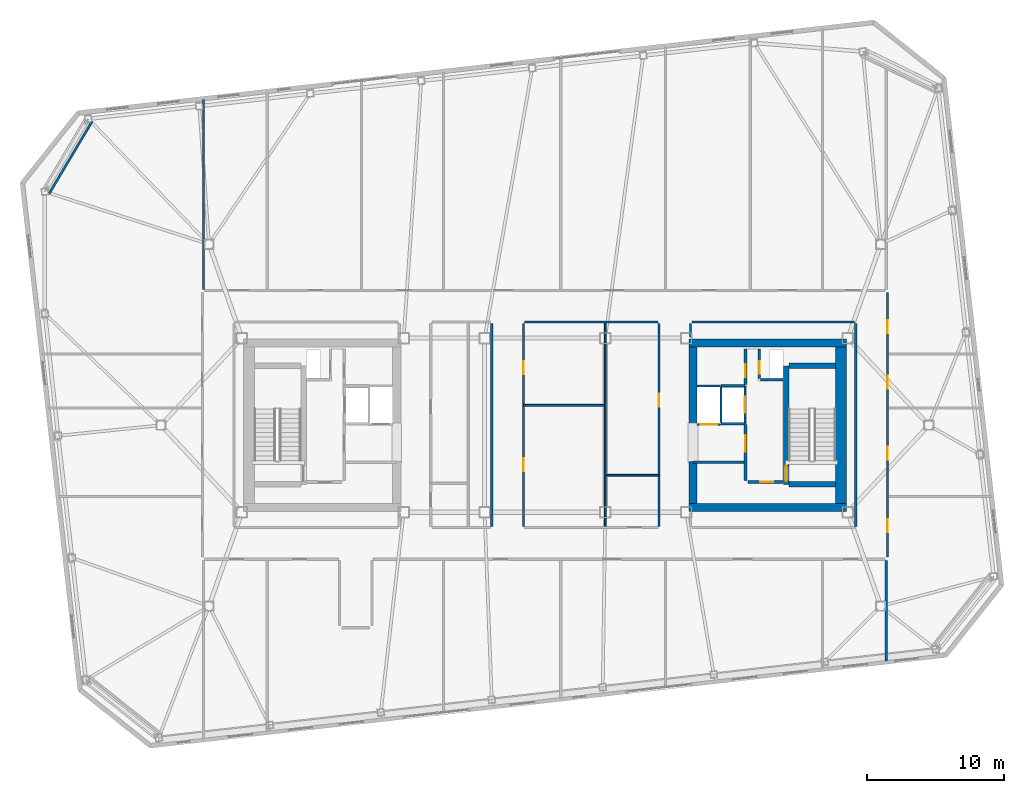
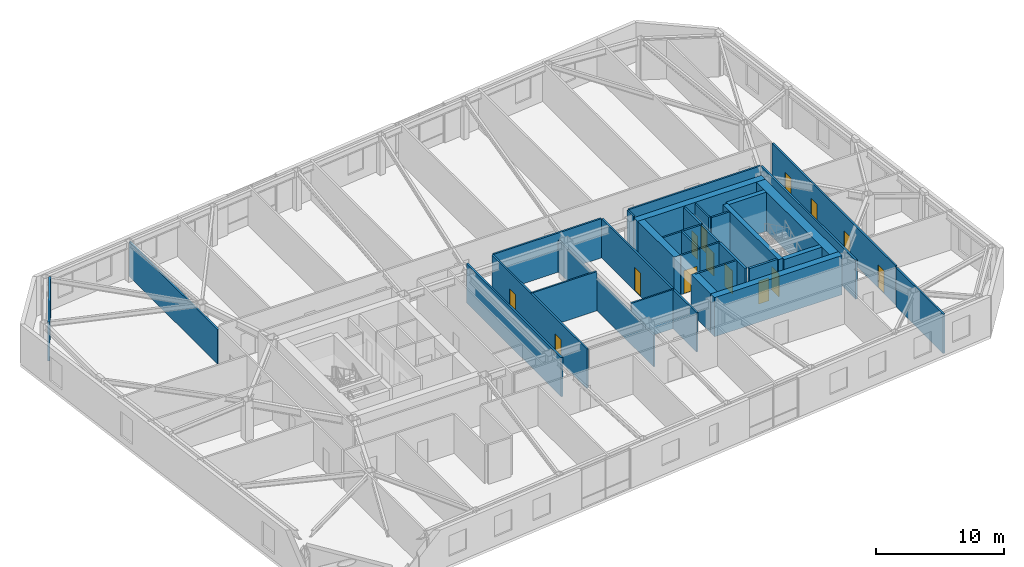
# One storey, part 14 of 19: 34 walls, 14 doors, 14 openings.
"""IFC4 building model written with IfcOpenShell, lengths in metres."""

from ifc_helpers import new_model, si_unit, direction, frame, frame_2d, origin, place, context, subcontext, project, spatial, rectangle, extrude, material, layer, layer_set, type_object, element, fill, save


model = new_model("IFC4")

# Units and contexts
model_context = context("Model", 3, precision=1e-05, world=origin(), true_north=direction((0.0, 1.0)))
body_context = subcontext(model_context, "Body", "Model", "MODEL_VIEW")
ifc_project = project(units=[si_unit("LENGTHUNIT", "METRE"), si_unit("AREAUNIT", "SQUARE_METRE"), si_unit("VOLUMEUNIT", "CUBIC_METRE"), si_unit("PLANEANGLEUNIT", "RADIAN"), si_unit("MASSUNIT", "GRAM", prefix="KILO")], contexts=[model_context])

# Site, building, storey
site_placement = place(None, origin())
site = spatial("IfcSite", under=ifc_project, at=site_placement, CompositionType="ELEMENT")
building_placement = place(site_placement, origin())
building = spatial("IfcBuilding", under=site, at=building_placement, Name="Tavrogorsk Clinical Tower", CompositionType="ELEMENT")
storey_placement = place(building_placement, frame((0.0, 0.0, 263.0)))
storey = spatial("IfcBuildingStorey", under=building, at=storey_placement, Name="L61", CompositionType="ELEMENT", Elevation=263.0)

# Wall, opening, door
ifc_material_1 = material(Name="Concrete B60", Category="concrete")
ifc_layer_1 = layer(ifc_material_1, 0.199951171875)
ifc_layer_set_1 = layer_set([ifc_layer_1], Name="Concrete B60")
wall_type_1 = type_object("IfcWallType", Name="CoreFireWall_200", PredefinedType="SOLIDWALL", material=ifc_layer_set_1)
wall_1_placement = place(storey_placement, frame((14.824951171875, -4.139892578125, 0.0), z_axis=(0.0, 0.0, 1.0), x_axis=(1.0, 0.0, 0.0)))
wall_1 = element("IfcWall", 1, at=wall_1_placement, inside=storey, type_object=wall_type_1, Name="L61 Core East South Core Room Fire Wall", PredefinedType="SOLIDWALL", context=body_context, shape_type="SweptSolid", body=[
    extrude(rectangle(XDim=2.554931640625, YDim=0.199951171875, at=frame_2d((1.27734375, 0.0))), origin(), (0.0, 0.0, 1.0), 3.739990234375),
])
opening_1_placement = place(wall_1_placement, frame((0.8798828125, 0.0, 0.0)))
opening_1 = element("IfcOpeningElement", 2, at=opening_1_placement, cuts=wall_1, Name="Opening ID-02", PredefinedType="OPENING", context=body_context, shape_type="SweptSolid", body=[
    extrude(rectangle(XDim=0.949951171875, YDim=2.199951171875, at=frame_2d((0.47509765625, 1.10009765625))), frame((0.0, 0.10986328125, 0.0), z_axis=(0.0, -1.0, 0.0), x_axis=(1.0, 0.0, 0.0)), (0.0, 0.0, 1.0), 0.219970703125),
])
ifc_material_2 = material(Name="Laminated timber leaf on aluminium frame", Category="wood")
door_type_1 = type_object("IfcDoorType", Name="InteriorDoor_ID02_950", OperationType="NOTDEFINED", PredefinedType="DOOR", material=ifc_material_2)
door_1_placement = place(opening_1_placement, origin())
door_1 = element("IfcDoor", 3, at=door_1_placement, inside=storey, type_object=door_type_1, Name="L61 Core East South Core Room Door", OperationType="SINGLE_SWING_RIGHT", OverallHeight=2.199951171875, OverallWidth=0.949951171875, PredefinedType="DOOR", context=body_context, shape_type="SweptSolid", body=[
    extrude(rectangle(XDim=0.949951171875, YDim=2.199951171875, at=frame_2d((0.47509765625, 1.10009765625))), frame((0.0, 0.02490234375, 0.0), z_axis=(0.0, -1.0, 0.0), x_axis=(1.0, 0.0, 0.0)), (0.0, 0.0, 1.0), 0.050048828125),
])
fill(opening_1, door_1)

wall_2_placement = place(storey_placement, frame((14.639892578125, 2.9599609375, 0.0), z_axis=(0.0, 0.0, 1.0), x_axis=(0.0, 1.0, 0.0)))
wall_2 = element("IfcWall", 4, at=wall_2_placement, inside=storey, type_object=wall_type_1, Name="L61 Core East North Core Room East Wall", PredefinedType="SOLIDWALL", context=body_context, shape_type="SweptSolid", body=[
    extrude(rectangle(XDim=2.60009765625, YDim=0.199951171875, at=frame_2d((1.300048828125, 0.0))), origin(), (0.0, 0.0, 1.0), 3.739990234375),
])
opening_2_placement = place(wall_2_placement, frame((0.52001953125, 0.0, 0.0)))
opening_2 = element("IfcOpeningElement", 5, at=opening_2_placement, cuts=wall_2, Name="Opening ID-02", PredefinedType="OPENING", context=body_context, shape_type="SweptSolid", body=[
    extrude(rectangle(XDim=0.949951171875, YDim=2.199951171875, at=frame_2d((0.47509765625, 1.10009765625))), frame((0.0, 0.10986328125, 0.0), z_axis=(0.0, -1.0, 0.0), x_axis=(1.0, 0.0, 0.0)), (0.0, 0.0, 1.0), 0.219970703125),
])
door_2_placement = place(opening_2_placement, origin())
door_2 = element("IfcDoor", 6, at=door_2_placement, inside=storey, type_object=door_type_1, Name="L61 Core East Core Telemetry Room Door", OperationType="SINGLE_SWING_LEFT", OverallHeight=2.199951171875, OverallWidth=0.949951171875, PredefinedType="DOOR", context=body_context, shape_type="SweptSolid", body=[
    extrude(rectangle(XDim=0.949951171875, YDim=2.199951171875, at=frame_2d((0.47509765625, 1.10009765625))), frame((0.0, 0.02490234375, 0.0), z_axis=(0.0, -1.0, 0.0), x_axis=(1.0, 0.0, 0.0)), (0.0, 0.0, 1.0), 0.050048828125),
])
fill(opening_2, door_2)

wall_3_placement = place(storey_placement, frame((14.639892578125, -4.034912109375, 0.0), z_axis=(0.0, 0.0, 1.0), x_axis=(0.0, 1.0, 0.0)))
wall_3 = element("IfcWall", 7, at=wall_3_placement, inside=storey, type_object=wall_type_1, Name="L61 Core East Firefighting Lobby Fire Wall", PredefinedType="SOLIDWALL", context=body_context, shape_type="SweptSolid", body=[
    extrude(rectangle(XDim=4.074951171875, YDim=0.199951171875, at=frame_2d((2.03759765625, 0.0))), origin(), (0.0, 0.0, 1.0), 3.739990234375),
])
opening_3_placement = place(wall_3_placement, frame((2.090087890625, 0.0, 0.0)))
opening_3 = element("IfcOpeningElement", 8, at=opening_3_placement, cuts=wall_3, Name="Opening FD-01", PredefinedType="OPENING", context=body_context, shape_type="SweptSolid", body=[
    extrude(rectangle(XDim=1.199951171875, YDim=2.199951171875, at=frame_2d((0.60009765625, 1.10009765625))), frame((0.0, 0.10986328125, 0.0), z_axis=(0.0, -1.0, 0.0), x_axis=(1.0, 0.0, 0.0)), (0.0, 0.0, 1.0), 0.219970703125),
])
ifc_material_3 = material(Name="Galvanised steel fire-rated door assembly", Category="steel")
door_type_2 = type_object("IfcDoorType", Name="FireDoor_FD01_1200", OperationType="NOTDEFINED", PredefinedType="DOOR", material=ifc_material_3)
door_3_placement = place(opening_3_placement, origin())
door_3 = element("IfcDoor", 9, at=door_3_placement, inside=storey, type_object=door_type_2, Name="L61 Core East Firefighting Lobby Entry Door", OperationType="SINGLE_SWING_RIGHT", OverallHeight=2.199951171875, OverallWidth=1.199951171875, PredefinedType="DOOR", context=body_context, shape_type="SweptSolid", body=[
    extrude(rectangle(XDim=1.199951171875, YDim=2.199951171875, at=frame_2d((0.60009765625, 1.10009765625))), frame((0.0, 0.02490234375, 0.0), z_axis=(0.0, -1.0, 0.0), x_axis=(1.0, 0.0, 0.0)), (0.0, 0.0, 1.0), 0.050048828125),
])
fill(opening_3, door_3)

# Walls
ifc_material_4 = material(Name="Lightweight concrete blockwork B15", Category="masonry")
ifc_layer_2 = layer(ifc_material_4, 0.139892578125)
ifc_layer_set_2 = layer_set([ifc_layer_2], Name="Lightweight concrete blockwork B15")
wall_type_2 = type_object("IfcWallType", Name="PartitionWall_140", PredefinedType="PARTITIONING", material=ifc_layer_set_2)
wall_4_placement = place(storey_placement, frame((4.39990234375, -7.465087890625, 0.0), z_axis=(0.0, 0.0, 1.0), x_axis=(0.0, 1.0, 0.0)))
element("IfcWall", 10, at=wall_4_placement, inside=storey, type_object=wall_type_2, Name="L61 Central Spine Partition 2", PredefinedType="PARTITIONING", context=body_context, shape_type="SweptSolid", body=[
    extrude(rectangle(XDim=14.97998046875, YDim=0.139892578125, at=frame_2d((7.489990234375, 0.0))), origin(), (0.0, 0.0, 1.0), 3.034912109375),
])
wall_5_placement = place(storey_placement, frame((-1.56494140625, 1.449951171875, 0.0), z_axis=(0.0, 0.0, 1.0), x_axis=(1.0, 0.0, 0.0)))
element("IfcWall", 11, at=wall_5_placement, inside=storey, type_object=wall_type_2, Name="L61 Central Spine Partition 3", PredefinedType="PARTITIONING", context=body_context, shape_type="SweptSolid", body=[
    extrude(rectangle(XDim=5.889892578125, YDim=0.139892578125, at=frame_2d((2.94482421875, 0.0))), origin(), (0.0, 0.0, 1.0), 3.739990234375),
])
wall_6_placement = place(storey_placement, frame((4.47509765625, -3.64990234375, 0.0), z_axis=(0.0, 0.0, 1.0), x_axis=(1.0, 0.0, 0.0)))
element("IfcWall", 12, at=wall_6_placement, inside=storey, type_object=wall_type_2, Name="L61 Central Spine Partition 5", PredefinedType="PARTITIONING", context=body_context, shape_type="SweptSolid", body=[
    extrude(rectangle(XDim=3.83984375, YDim=0.139892578125, at=frame_2d((1.919921875, 0.0))), origin(), (0.0, 0.0, 1.0), 3.739990234375),
])
ifc_material_5 = material(Name="Lightweight concrete blockwork B15", Category="masonry")
ifc_layer_3 = layer(ifc_material_5, 0.159912109375)
ifc_layer_set_3 = layer_set([ifc_layer_3], Name="Lightweight concrete blockwork B15")
wall_type_3 = type_object("IfcWallType", Name="PartitionWall_160", PredefinedType="PARTITIONING", material=ifc_layer_set_3)
wall_7_placement = place(storey_placement, frame((10.800048828125, -2.699951171875, 0.0), z_axis=(0.0, 0.0, 1.0), x_axis=(1.0, 0.0, 0.0)))
element("IfcWall", 13, at=wall_7_placement, inside=storey, type_object=wall_type_3, Name="L61 Core East Freed Mid-Bank North Partition", PredefinedType="PARTITIONING", context=body_context, shape_type="SweptSolid", body=[
    extrude(rectangle(XDim=3.73486328125, YDim=0.159912109375, at=frame_2d((1.867431640625, 0.0))), origin(), (0.0, 0.0, 1.0), 3.739990234375),
])
wall_8_placement = place(storey_placement, frame((-33.016357421875, 22.17138671875, 0.0), z_axis=(0.0, 0.0, 1.0), x_axis=(-0.511385266265, -0.859351563359, 0.0)))
element("IfcWall", 14, at=wall_8_placement, inside=storey, type_object=wall_type_3, Name="L61 Corner Exoskeleton Brace Furring Wall 3", PredefinedType="PARTITIONING", context=body_context, shape_type="SweptSolid", body=[
    extrude(rectangle(XDim=6.181884765625, YDim=0.159912109375, at=frame_2d((3.0908203125, 0.0))), origin(), (0.0, 0.0, 1.0), 3.739990234375),
])

# Wall, openings, doors
wall_9_placement = place(storey_placement, frame((24.97998046875, 9.6650390625, 0.0), z_axis=(0.0, 0.0, 1.0), x_axis=(0.0, -1.0, 0.0)))
wall_9 = element("IfcWall", 15, at=wall_9_placement, inside=storey, type_object=wall_type_3, Name="L61 Corridor Partition 03", PredefinedType="PARTITIONING", context=body_context, shape_type="SweptSolid", body=[
    extrude(rectangle(XDim=19.280029296875, YDim=0.159912109375, at=frame_2d((9.64013671875, 0.0))), origin(), (0.0, 0.0, 1.0), 3.739990234375),
])
opening_4_placement = place(wall_9_placement, frame((16.531005859375, 0.0, 0.0)))
opening_4 = element("IfcOpeningElement", 16, at=opening_4_placement, cuts=wall_9, Name="Opening ID-02", PredefinedType="OPENING", context=body_context, shape_type="SweptSolid", body=[
    extrude(rectangle(XDim=0.949951171875, YDim=2.199951171875, at=frame_2d((0.47509765625, 1.10009765625))), frame((0.0, 0.08984375, 0.0), z_axis=(0.0, -1.0, 0.0), x_axis=(1.0, 0.0, 0.0)), (0.0, 0.0, 1.0), 0.179931640625),
])
opening_5_placement = place(wall_9_placement, frame((11.25, 0.0, 0.0)))
opening_5 = element("IfcOpeningElement", 17, at=opening_5_placement, cuts=wall_9, Name="Opening ID-02", PredefinedType="OPENING", context=body_context, shape_type="SweptSolid", body=[
    extrude(rectangle(XDim=0.949951171875, YDim=2.199951171875, at=frame_2d((0.47509765625, 1.10009765625))), frame((0.0, 0.08984375, 0.0), z_axis=(0.0, -1.0, 0.0), x_axis=(1.0, 0.0, 0.0)), (0.0, 0.0, 1.0), 0.179931640625),
])
opening_6_placement = place(wall_9_placement, frame((6.050048828125, 0.0, 0.0)))
opening_6 = element("IfcOpeningElement", 18, at=opening_6_placement, cuts=wall_9, Name="Opening ID-02", PredefinedType="OPENING", context=body_context, shape_type="SweptSolid", body=[
    extrude(rectangle(XDim=0.949951171875, YDim=2.199951171875, at=frame_2d((0.47509765625, 1.10009765625))), frame((0.0, 0.08984375, 0.0), z_axis=(0.0, -1.0, 0.0), x_axis=(1.0, 0.0, 0.0)), (0.0, 0.0, 1.0), 0.179931640625),
])
opening_7_placement = place(wall_9_placement, frame((1.994140625, 0.0, 0.0)))
opening_7 = element("IfcOpeningElement", 19, at=opening_7_placement, cuts=wall_9, Name="Opening ID-02", PredefinedType="OPENING", context=body_context, shape_type="SweptSolid", body=[
    extrude(rectangle(XDim=0.949951171875, YDim=2.199951171875, at=frame_2d((0.47509765625, 1.10009765625))), frame((0.0, 0.08984375, 0.0), z_axis=(0.0, -1.0, 0.0), x_axis=(1.0, 0.0, 0.0)), (0.0, 0.0, 1.0), 0.179931640625),
])
door_4_placement = place(opening_4_placement, origin())
door_4 = element("IfcDoor", 20, at=door_4_placement, inside=storey, type_object=door_type_1, Name="L61 E Senior Clinician Suite 1 Door", OperationType="SINGLE_SWING_LEFT", OverallHeight=2.199951171875, OverallWidth=0.949951171875, PredefinedType="DOOR", context=body_context, shape_type="SweptSolid", body=[
    extrude(rectangle(XDim=0.949951171875, YDim=2.199951171875, at=frame_2d((0.47509765625, 1.10009765625))), frame((0.0, 0.02490234375, 0.0), z_axis=(0.0, -1.0, 0.0), x_axis=(1.0, 0.0, 0.0)), (0.0, 0.0, 1.0), 0.050048828125),
])
fill(opening_4, door_4)
door_5_placement = place(opening_5_placement, origin())
door_5 = element("IfcDoor", 21, at=door_5_placement, inside=storey, type_object=door_type_1, Name="L61 E Multidisciplinary Seminar Suite 2 Door", OperationType="SINGLE_SWING_RIGHT", OverallHeight=2.199951171875, OverallWidth=0.949951171875, PredefinedType="DOOR", context=body_context, shape_type="SweptSolid", body=[
    extrude(rectangle(XDim=0.949951171875, YDim=2.199951171875, at=frame_2d((0.47509765625, 1.10009765625))), frame((0.0, 0.02490234375, 0.0), z_axis=(0.0, -1.0, 0.0), x_axis=(1.0, 0.0, 0.0)), (0.0, 0.0, 1.0), 0.050048828125),
])
fill(opening_5, door_5)
door_6_placement = place(opening_6_placement, origin())
door_6 = element("IfcDoor", 22, at=door_6_placement, inside=storey, type_object=door_type_1, Name="L61 E Specialist Consultation Room 3 Door", OperationType="SINGLE_SWING_LEFT", OverallHeight=2.199951171875, OverallWidth=0.949951171875, PredefinedType="DOOR", context=body_context, shape_type="SweptSolid", body=[
    extrude(rectangle(XDim=0.949951171875, YDim=2.199951171875, at=frame_2d((0.47509765625, 1.10009765625))), frame((0.0, 0.02490234375, 0.0), z_axis=(0.0, -1.0, 0.0), x_axis=(1.0, 0.0, 0.0)), (0.0, 0.0, 1.0), 0.050048828125),
])
fill(opening_6, door_6)
door_7_placement = place(opening_7_placement, origin())
door_7 = element("IfcDoor", 23, at=door_7_placement, inside=storey, type_object=door_type_1, Name="L61 E Clinical Fellows' Study 4 Door", OperationType="SINGLE_SWING_RIGHT", OverallHeight=2.199951171875, OverallWidth=0.949951171875, PredefinedType="DOOR", context=body_context, shape_type="SweptSolid", body=[
    extrude(rectangle(XDim=0.949951171875, YDim=2.199951171875, at=frame_2d((0.47509765625, 1.10009765625))), frame((0.0, 0.02490234375, 0.0), z_axis=(0.0, -1.0, 0.0), x_axis=(1.0, 0.0, 0.0)), (0.0, 0.0, 1.0), 0.050048828125),
])
fill(opening_7, door_7)

# Walls
wall_10_placement = place(storey_placement, frame((22.5849609375, 7.52001953125, 0.0), z_axis=(0.0, 0.0, 1.0), x_axis=(-1.0, 0.0, 0.0)))
element("IfcWall", 24, at=wall_10_placement, inside=storey, type_object=wall_type_3, Name="L61 Corridor Partition 09", PredefinedType="PARTITIONING", context=body_context, shape_type="SweptSolid", body=[
    extrude(rectangle(XDim=11.869873046875, YDim=0.159912109375, at=frame_2d((5.93505859375, 0.0))), origin(), (0.0, 0.0, 1.0), 3.739990234375),
])
wall_11_placement = place(storey_placement, frame((10.6298828125, 7.43505859375, 0.0), z_axis=(0.0, 0.0, 1.0), x_axis=(0.0, -1.0, 0.0)))
element("IfcWall", 25, at=wall_11_placement, inside=storey, type_object=wall_type_3, Name="L61 Corridor Partition 10", PredefinedType="PARTITIONING", context=body_context, shape_type="SweptSolid", body=[
    extrude(rectangle(XDim=1.01513671875, YDim=0.159912109375, at=frame_2d((0.507568359375, 0.0))), origin(), (0.0, 0.0, 1.0), 3.739990234375),
])
wall_12_placement = place(storey_placement, frame((22.669921875, -7.385009765625, 0.0), z_axis=(0.0, 0.0, 1.0), x_axis=(0.0, 1.0, 0.0)))
element("IfcWall", 26, at=wall_12_placement, inside=storey, type_object=wall_type_3, Name="L61 Corridor Partition 13", PredefinedType="PARTITIONING", context=body_context, shape_type="SweptSolid", body=[
    extrude(rectangle(XDim=14.820068359375, YDim=0.159912109375, at=frame_2d((7.41015625, 0.0))), origin(), (0.0, 0.0, 1.0), 3.739990234375),
])
wall_13_placement = place(storey_placement, frame((8.235107421875, 7.52001953125, 0.0), z_axis=(0.0, 0.0, 1.0), x_axis=(-1.0, 0.0, 0.0)))
element("IfcWall", 27, at=wall_13_placement, inside=storey, type_object=wall_type_3, Name="L61 Corridor Partition 14", PredefinedType="PARTITIONING", context=body_context, shape_type="SweptSolid", body=[
    extrude(rectangle(XDim=9.72021484375, YDim=0.159912109375, at=frame_2d((4.860107421875, 0.0))), origin(), (0.0, 0.0, 1.0), 3.739990234375),
])

# Wall, openings, doors
wall_14_placement = place(storey_placement, frame((-1.570068359375, 7.43505859375, 0.0), z_axis=(0.0, 0.0, 1.0), x_axis=(0.0, -1.0, 0.0)))
wall_14 = element("IfcWall", 28, at=wall_14_placement, inside=storey, type_object=wall_type_3, Name="L61 Corridor Partition 15", PredefinedType="PARTITIONING", context=body_context, shape_type="SweptSolid", body=[
    extrude(rectangle(XDim=14.820068359375, YDim=0.159912109375, at=frame_2d((7.41015625, 0.0))), origin(), (0.0, 0.0, 1.0), 3.739990234375),
])
opening_8_placement = place(wall_14_placement, frame((9.86083984375, 0.0, 0.0)))
opening_8 = element("IfcOpeningElement", 29, at=opening_8_placement, cuts=wall_14, Name="Opening ID-02", PredefinedType="OPENING", context=body_context, shape_type="SweptSolid", body=[
    extrude(rectangle(XDim=0.949951171875, YDim=2.199951171875, at=frame_2d((0.47509765625, 1.10009765625))), frame((0.0, 0.08984375, 0.0), z_axis=(0.0, -1.0, 0.0), x_axis=(1.0, 0.0, 0.0)), (0.0, 0.0, 1.0), 0.179931640625),
])
opening_9_placement = place(wall_14_placement, frame((2.754150390625, 0.0, 0.0)))
opening_9 = element("IfcOpeningElement", 30, at=opening_9_placement, cuts=wall_14, Name="Opening ID-02", PredefinedType="OPENING", context=body_context, shape_type="SweptSolid", body=[
    extrude(rectangle(XDim=0.949951171875, YDim=2.199951171875, at=frame_2d((0.47509765625, 1.10009765625))), frame((0.0, 0.08984375, 0.0), z_axis=(0.0, -1.0, 0.0), x_axis=(1.0, 0.0, 0.0)), (0.0, 0.0, 1.0), 0.179931640625),
])
door_8_placement = place(opening_8_placement, origin())
door_8 = element("IfcDoor", 31, at=door_8_placement, inside=storey, type_object=door_type_1, Name="L61 Multidisciplinary Conference Room Door", OperationType="SINGLE_SWING_LEFT", OverallHeight=2.199951171875, OverallWidth=0.949951171875, PredefinedType="DOOR", context=body_context, shape_type="SweptSolid", body=[
    extrude(rectangle(XDim=0.949951171875, YDim=2.199951171875, at=frame_2d((0.47509765625, 1.10009765625))), frame((0.0, 0.02490234375, 0.0), z_axis=(0.0, -1.0, 0.0), x_axis=(1.0, 0.0, 0.0)), (0.0, 0.0, 1.0), 0.050048828125),
])
fill(opening_8, door_8)
door_9_placement = place(opening_9_placement, origin())
door_9 = element("IfcDoor", 32, at=door_9_placement, inside=storey, type_object=door_type_1, Name="L61 Nurses' Station & Triage Hub Door", OperationType="SINGLE_SWING_RIGHT", OverallHeight=2.199951171875, OverallWidth=0.949951171875, PredefinedType="DOOR", context=body_context, shape_type="SweptSolid", body=[
    extrude(rectangle(XDim=0.949951171875, YDim=2.199951171875, at=frame_2d((0.47509765625, 1.10009765625))), frame((0.0, 0.02490234375, 0.0), z_axis=(0.0, -1.0, 0.0), x_axis=(1.0, 0.0, 0.0)), (0.0, 0.0, 1.0), 0.050048828125),
])
fill(opening_9, door_9)

# Wall, opening, door
wall_15_placement = place(storey_placement, frame((8.320068359375, -7.385009765625, 0.0), z_axis=(0.0, 0.0, 1.0), x_axis=(0.0, 1.0, 0.0)))
wall_15 = element("IfcWall", 33, at=wall_15_placement, inside=storey, type_object=wall_type_3, Name="L61 Corridor Partition 17", PredefinedType="PARTITIONING", context=body_context, shape_type="SweptSolid", body=[
    extrude(rectangle(XDim=14.820068359375, YDim=0.159912109375, at=frame_2d((7.41015625, 0.0))), origin(), (0.0, 0.0, 1.0), 3.739990234375),
])
opening_10_placement = place(wall_15_placement, frame((8.73583984375, 0.0, 0.0)))
opening_10 = element("IfcOpeningElement", 34, at=opening_10_placement, cuts=wall_15, Name="Opening ID-02", PredefinedType="OPENING", context=body_context, shape_type="SweptSolid", body=[
    extrude(rectangle(XDim=0.949951171875, YDim=2.199951171875, at=frame_2d((0.47509765625, 1.10009765625))), frame((0.0, 0.08984375, 0.0), z_axis=(0.0, -1.0, 0.0), x_axis=(1.0, 0.0, 0.0)), (0.0, 0.0, 1.0), 0.179931640625),
])
door_10_placement = place(opening_10_placement, origin())
door_10 = element("IfcDoor", 35, at=door_10_placement, inside=storey, type_object=door_type_1, Name="L61 Attending Physician Office Door", OperationType="SINGLE_SWING_RIGHT", OverallHeight=2.199951171875, OverallWidth=0.949951171875, PredefinedType="DOOR", context=body_context, shape_type="SweptSolid", body=[
    extrude(rectangle(XDim=0.949951171875, YDim=2.199951171875, at=frame_2d((0.47509765625, 1.10009765625))), frame((0.0, 0.02490234375, 0.0), z_axis=(0.0, -1.0, 0.0), x_axis=(1.0, 0.0, 0.0)), (0.0, 0.0, 1.0), 0.050048828125),
])
fill(opening_10, door_10)

# Walls
wall_16_placement = place(storey_placement, frame((-3.8798828125, -7.385009765625, 0.0), z_axis=(0.0, 0.0, 1.0), x_axis=(0.0, 1.0, 0.0)))
element("IfcWall", 36, at=wall_16_placement, inside=storey, type_object=wall_type_3, Name="L61 Corridor Partition 18", PredefinedType="PARTITIONING", context=body_context, shape_type="SweptSolid", body=[
    extrude(rectangle(XDim=14.820068359375, YDim=0.159912109375, at=frame_2d((7.41015625, 0.0))), origin(), (0.0, 0.0, 1.0), 3.739990234375),
])
wall_17_placement = place(storey_placement, frame((-24.89990234375, 9.9150390625, 0.0), z_axis=(0.0, 0.0, 1.0), x_axis=(0.0, 1.0, 0.0)))
element("IfcWall", 37, at=wall_17_placement, inside=storey, type_object=wall_type_3, Name="L61 NW Wing Closure Partition", PredefinedType="PARTITIONING", context=body_context, shape_type="SweptSolid", body=[
    extrude(rectangle(XDim=13.831298828125, YDim=0.159912109375, at=frame_2d((6.91552734375, 0.0))), origin(), (0.0, 0.0, 1.0), 3.284912109375),
])
wall_18_placement = place(storey_placement, frame((24.89990234375, -17.199462890625, 0.0), z_axis=(0.0, 0.0, 1.0), x_axis=(0.0, 1.0, 0.0)))
element("IfcWall", 38, at=wall_18_placement, inside=storey, type_object=wall_type_3, Name="L61 SE Wing Closure Partition", PredefinedType="PARTITIONING", context=body_context, shape_type="SweptSolid", body=[
    extrude(rectangle(XDim=7.33447265625, YDim=0.159912109375, at=frame_2d((3.667236328125, 0.0))), origin(), (0.0, 0.0, 1.0), 3.739990234375),
])

# Wall, opening, door
ifc_material_6 = material(Name="Lightweight concrete blockwork B25", Category="masonry")
ifc_layer_4 = layer(ifc_material_6, 0.159912109375)
ifc_layer_set_4 = layer_set([ifc_layer_4], Name="Lightweight concrete blockwork B25")
wall_type_4 = type_object("IfcWallType", Name="ShaftWall_160", PredefinedType="PARTITIONING", material=ifc_layer_set_4)
wall_19_placement = place(storey_placement, frame((14.60009765625, 0.1201171875, 0.0), z_axis=(0.0, 0.0, 1.0), x_axis=(0.0, 1.0, 0.0)))
wall_19 = element("IfcWall", 39, at=wall_19_placement, inside=storey, type_object=wall_type_4, Name="L61 FFL-E Firefighting Lift Front Wall", PredefinedType="PARTITIONING", context=body_context, shape_type="SweptSolid", body=[
    extrude(rectangle(XDim=2.739990234375, YDim=0.159912109375, at=frame_2d((1.3701171875, 0.0))), origin(), (0.0, 0.0, 1.0), 3.739990234375),
])
opening_11_placement = place(wall_19_placement, frame((0.77001953125, 0.0, 0.0)))
opening_11 = element("IfcOpeningElement", 40, at=opening_11_placement, cuts=wall_19, Name="Opening LD", PredefinedType="OPENING", context=body_context, shape_type="SweptSolid", body=[
    extrude(rectangle(XDim=1.199951171875, YDim=2.199951171875, at=frame_2d((0.60009765625, 1.10009765625))), frame((0.0, 0.08984375, 0.0), z_axis=(0.0, -1.0, 0.0), x_axis=(1.0, 0.0, 0.0)), (0.0, 0.0, 1.0), 0.179931640625),
])
ifc_material_7 = material(Name="Brushed stainless steel AISI 304 sliding doors", Category="steel")
door_type_3 = type_object("IfcDoorType", Name="LiftLandingDoor_LD_1200", OperationType="SLIDING_TO_LEFT", PredefinedType="DOOR", material=ifc_material_7)
door_11_placement = place(opening_11_placement, origin())
door_11 = element("IfcDoor", 41, at=door_11_placement, inside=storey, type_object=door_type_3, Name="L61 FFL-E Sliding Lift Landing Door", OperationType="SLIDING_TO_LEFT", OverallHeight=2.199951171875, OverallWidth=1.199951171875, PredefinedType="DOOR", context=body_context, shape_type="SweptSolid", body=[
    extrude(rectangle(XDim=1.199951171875, YDim=2.199951171875, at=frame_2d((0.60009765625, 1.10009765625))), frame((0.0, 0.02490234375, 0.0), z_axis=(0.0, -1.0, 0.0), x_axis=(1.0, 0.0, 0.0)), (0.0, 0.0, 1.0), 0.050048828125),
])
fill(opening_11, door_11)

# Walls
for number, where, z_axis, x_axis, name in (
    (42, (12.840087890625, 0.10009765625, 0.0), (0.0, 0.0, 1.0), (1.0, 0.0, 0.0), "L61 FFL-E Shaft South Wall"),
    (43, (12.840087890625, 2.8798828125, 0.0), (0.0, 0.0, 1.0), (1.0, 0.0, 0.0), "L61 FFL-E Shaft North Wall"),
):
    element("IfcWall", number, at=place(storey_placement, frame(where, z_axis=z_axis, x_axis=x_axis)), inside=storey, type_object=wall_type_4, Name=name, PredefinedType="PARTITIONING", context=body_context, shape_type="SweptSolid", body=[
        extrude(rectangle(XDim=1.760009765625, YDim=0.159912109375, at=frame_2d((0.8798828125, 0.0))), origin(), (0.0, 0.0, 1.0), 3.739990234375),
    ])
wall_20_placement = place(storey_placement, frame((12.840087890625, 0.179931640625, 0.0), z_axis=(0.0, 0.0, 1.0), x_axis=(0.0, 1.0, 0.0)))
element("IfcWall", 44, at=wall_20_placement, inside=storey, type_object=wall_type_4, Name="L61 FFL-E Shaft Back Wall", PredefinedType="PARTITIONING", context=body_context, shape_type="SweptSolid", body=[
    extrude(rectangle(XDim=2.6201171875, YDim=0.159912109375, at=frame_2d((1.31005859375, 0.0))), origin(), (0.0, 0.0, 1.0), 3.739990234375),
])

# Wall, opening, door
wall_21_placement = place(storey_placement, frame((11.10009765625, 0.06005859375, 0.0), z_axis=(0.0, 0.0, 1.0), x_axis=(1.0, 0.0, 0.0)))
wall_21 = element("IfcWall", 45, at=wall_21_placement, inside=storey, type_object=wall_type_4, Name="L61 LP-H2 High-Zone Lift Portal Wall", PredefinedType="PARTITIONING", context=body_context, shape_type="SweptSolid", body=[
    extrude(rectangle(XDim=1.719970703125, YDim=0.159912109375, at=frame_2d((0.85986328125, 0.0))), origin(), (0.0, 0.0, 1.0), 3.739990234375),
])
opening_12_placement = place(wall_21_placement, frame((0.260009765625, 0.0, 0.0)))
opening_12 = element("IfcOpeningElement", 46, at=opening_12_placement, cuts=wall_21, Name="Opening LD", PredefinedType="OPENING", context=body_context, shape_type="SweptSolid", body=[
    extrude(rectangle(XDim=1.199951171875, YDim=2.199951171875, at=frame_2d((0.60009765625, 1.10009765625))), frame((0.0, 0.08984375, 0.0), z_axis=(0.0, -1.0, 0.0), x_axis=(1.0, 0.0, 0.0)), (0.0, 0.0, 1.0), 0.179931640625),
])
door_12_placement = place(opening_12_placement, origin())
door_12 = element("IfcDoor", 47, at=door_12_placement, inside=storey, type_object=door_type_3, Name="L61 LP-H2 Sliding Lift Landing Door", OperationType="SLIDING_TO_LEFT", OverallHeight=2.199951171875, OverallWidth=1.199951171875, PredefinedType="DOOR", context=body_context, shape_type="SweptSolid", body=[
    extrude(rectangle(XDim=1.199951171875, YDim=2.199951171875, at=frame_2d((0.60009765625, 1.10009765625))), frame((0.0, 0.02490234375, 0.0), z_axis=(0.0, -1.0, 0.0), x_axis=(1.0, 0.0, 0.0)), (0.0, 0.0, 1.0), 0.050048828125),
])
fill(opening_12, door_12)

# Wall
wall_22_placement = place(storey_placement, frame((11.10009765625, 2.860107421875, 0.0), z_axis=(0.0, 0.0, 1.0), x_axis=(1.0, 0.0, 0.0)))
element("IfcWall", 48, at=wall_22_placement, inside=storey, type_object=wall_type_4, Name="L61 LP-H2 High-Zone Lift Rear Wall", PredefinedType="PARTITIONING", context=body_context, shape_type="SweptSolid", body=[
    extrude(rectangle(XDim=1.719970703125, YDim=0.159912109375, at=frame_2d((0.85986328125, 0.0))), origin(), (0.0, 0.0, 1.0), 3.739990234375),
])

# Wall, opening, door
wall_23_placement = place(storey_placement, frame((15.639892578125, 3.405029296875, 0.0), z_axis=(0.0, 0.0, 1.0), x_axis=(0.0, 1.0, 0.0)))
wall_23 = element("IfcWall", 49, at=wall_23_placement, inside=storey, type_object=wall_type_4, Name="L61 Core East Riser West Wall", PredefinedType="PARTITIONING", context=body_context, shape_type="SweptSolid", body=[
    extrude(rectangle(XDim=2.155029296875, YDim=0.159912109375, at=frame_2d((1.07763671875, 0.0))), origin(), (0.0, 0.0, 1.0), 3.739990234375),
])
opening_13_placement = place(wall_23_placement, frame((0.35009765625, 0.0, 0.0)))
opening_13 = element("IfcOpeningElement", 50, at=opening_13_placement, cuts=wall_23, Name="Opening FD-02", PredefinedType="OPENING", context=body_context, shape_type="SweptSolid", body=[
    extrude(rectangle(XDim=0.89990234375, YDim=2.199951171875, at=frame_2d((0.449951171875, 1.10009765625))), frame((0.0, 0.08984375, 0.0), z_axis=(0.0, -1.0, 0.0), x_axis=(1.0, 0.0, 0.0)), (0.0, 0.0, 1.0), 0.179931640625),
])
ifc_material_8 = material(Name="Galvanised steel fire-rated door assembly", Category="steel")
door_type_4 = type_object("IfcDoorType", Name="FireDoor_FD02_900", OperationType="NOTDEFINED", PredefinedType="DOOR", material=ifc_material_8)
door_13_placement = place(opening_13_placement, origin())
door_13 = element("IfcDoor", 51, at=door_13_placement, inside=storey, type_object=door_type_4, Name="L61 Core East Electrical Riser Access Door", OperationType="SINGLE_SWING_LEFT", OverallHeight=2.199951171875, OverallWidth=0.89990234375, PredefinedType="DOOR", context=body_context, shape_type="SweptSolid", body=[
    extrude(rectangle(XDim=0.89990234375, YDim=2.199951171875, at=frame_2d((0.449951171875, 1.10009765625))), frame((0.0, 0.02490234375, 0.0), z_axis=(0.0, -1.0, 0.0), x_axis=(1.0, 0.0, 0.0)), (0.0, 0.0, 1.0), 0.050048828125),
])
fill(opening_13, door_13)

# Wall
wall_24_placement = place(storey_placement, frame((15.72509765625, 3.320068359375, 0.0), z_axis=(0.0, 0.0, 1.0), x_axis=(1.0, 0.0, 0.0)))
element("IfcWall", 52, at=wall_24_placement, inside=storey, type_object=wall_type_4, Name="L61 Core East Riser South Wall", PredefinedType="PARTITIONING", context=body_context, shape_type="SweptSolid", body=[
    extrude(rectangle(XDim=1.65478515625, YDim=0.159912109375, at=frame_2d((0.827392578125, 0.0))), origin(), (0.0, 0.0, 1.0), 3.739990234375),
])

# Wall, opening, door
ifc_material_9 = material(Name="Concrete B80", Category="concrete")
ifc_layer_5 = layer(ifc_material_9, 0.39990234375)
ifc_layer_set_5 = layer_set([ifc_layer_5], Name="Concrete B80")
wall_type_5 = type_object("IfcWallType", Name="ShearWall_400", PredefinedType="SHEAR", material=ifc_layer_set_5)
wall_25_placement = place(storey_placement, frame((17.60009765625, -4.324951171875, 0.0), z_axis=(0.0, 0.0, 1.0), x_axis=(0.0, 1.0, 0.0)))
wall_25 = element("IfcWall", 53, at=wall_25_placement, inside=storey, type_object=wall_type_5, Name="L61 Core East Stair Shaft Inner Shear Wall", PredefinedType="SHEAR", context=body_context, shape_type="SweptSolid", body=[
    extrude(rectangle(XDim=8.64990234375, YDim=0.39990234375, at=frame_2d((4.324951171875, 0.0))), origin(), (0.0, 0.0, 1.0), 3.739990234375),
])
opening_14_placement = place(wall_25_placement, frame((0.25, 0.0, 0.0)))
opening_14 = element("IfcOpeningElement", 54, at=opening_14_placement, cuts=wall_25, Name="Opening SD-01", PredefinedType="OPENING", context=body_context, shape_type="SweptSolid", body=[
    extrude(rectangle(XDim=1.10009765625, YDim=2.199951171875, at=frame_2d((0.550048828125, 1.10009765625))), frame((0.0, 0.2099609375, 0.0), z_axis=(0.0, -1.0, 0.0), x_axis=(1.0, 0.0, 0.0)), (0.0, 0.0, 1.0), 0.419921875),
])
ifc_material_10 = material(Name="Galvanised steel smoke-tight fire door assembly", Category="steel")
door_type_5 = type_object("IfcDoorType", Name="StairFireDoor_SD01_1100", OperationType="NOTDEFINED", PredefinedType="DOOR", material=ifc_material_10)
door_14_placement = place(opening_14_placement, origin())
door_14 = element("IfcDoor", 55, at=door_14_placement, inside=storey, type_object=door_type_5, Name="L61 ST-E Exit Stair Door", OperationType="SINGLE_SWING_LEFT", OverallHeight=2.199951171875, OverallWidth=1.10009765625, PredefinedType="DOOR", context=body_context, shape_type="SweptSolid", body=[
    extrude(rectangle(XDim=1.10009765625, YDim=2.199951171875, at=frame_2d((0.550048828125, 1.10009765625))), frame((0.0, 0.02490234375, 0.0), z_axis=(0.0, -1.0, 0.0), x_axis=(1.0, 0.0, 0.0)), (0.0, 0.0, 1.0), 0.050048828125),
])
fill(opening_14, door_14)

# Walls
for number, where, z_axis, x_axis, name in (
    (56, (17.800048828125, -4.324951171875, 0.0), (0.0, 0.0, 1.0), (1.0, 0.0, 0.0), "L61 Core East Stair Shaft South Shear Wall"),
    (57, (17.800048828125, 4.324951171875, 0.0), (0.0, 0.0, 1.0), (1.0, 0.0, 0.0), "L61 Core East Stair Shaft North Shear Wall"),
):
    element("IfcWall", number, at=place(storey_placement, frame(where, z_axis=z_axis, x_axis=x_axis)), inside=storey, type_object=wall_type_5, Name=name, PredefinedType="SHEAR", context=body_context, shape_type="SweptSolid", body=[
        extrude(rectangle(XDim=3.39990234375, YDim=0.39990234375, at=frame_2d((1.699951171875, 0.0))), origin(), (0.0, 0.0, 1.0), 3.739990234375),
    ])
ifc_material_11 = material(Name="Concrete B80", Category="concrete")
ifc_layer_6 = layer(ifc_material_11, 0.60009765625)
ifc_layer_set_6 = layer_set([ifc_layer_6], Name="Concrete B80")
wall_type_6 = type_object("IfcWallType", Name="ShearWall_600", PredefinedType="SHEAR", material=ifc_layer_set_6)
for number, where, z_axis, x_axis, name in (
    (58, (10.5, 6.0, 0.0), (0.0, 0.0, 1.0), (1.0, 0.0, 0.0), "L61 Core East North Shear Wall"),
    (59, (10.5, -6.0, 0.0), (0.0, 0.0, 1.0), (1.0, 0.0, 0.0), "L61 Core East South Shear Wall"),
):
    element("IfcWall", number, at=place(storey_placement, frame(where, z_axis=z_axis, x_axis=x_axis)), inside=storey, type_object=wall_type_6, Name=name, PredefinedType="SHEAR", context=body_context, shape_type="SweptSolid", body=[
        extrude(rectangle(XDim=11.5, YDim=0.60009765625, at=frame_2d((5.75, 0.0))), origin(), (0.0, 0.0, 1.0), 3.739990234375),
    ])
wall_26_placement = place(storey_placement, frame((10.800048828125, -5.699951171875, 0.0), z_axis=(0.0, 0.0, 1.0), x_axis=(0.0, 1.0, 0.0)))
element("IfcWall", 60, at=wall_26_placement, inside=storey, type_object=wall_type_6, Name="L61 Core East Inner South Pier", PredefinedType="SHEAR", context=body_context, shape_type="SweptSolid", body=[
    extrude(rectangle(XDim=3.050048828125, YDim=0.60009765625, at=frame_2d((1.52490234375, 0.0))), origin(), (0.0, 0.0, 1.0), 3.739990234375),
])
wall_27_placement = place(storey_placement, frame((10.800048828125, 0.050048828125, 0.0), z_axis=(0.0, 0.0, 1.0), x_axis=(0.0, 1.0, 0.0)))
element("IfcWall", 61, at=wall_27_placement, inside=storey, type_object=wall_type_6, Name="L61 Core East Inner North Pier", PredefinedType="SHEAR", context=body_context, shape_type="SweptSolid", body=[
    extrude(rectangle(XDim=5.64990234375, YDim=0.60009765625, at=frame_2d((2.824951171875, 0.0))), origin(), (0.0, 0.0, 1.0), 3.739990234375),
])
ifc_material_12 = material(Name="Concrete B80", Category="concrete")
ifc_layer_7 = layer(ifc_material_12, 0.800048828125)
ifc_layer_set_7 = layer_set([ifc_layer_7], Name="Concrete B80")
wall_type_7 = type_object("IfcWallType", Name="ShearWall_800", PredefinedType="SHEAR", material=ifc_layer_set_7)
wall_28_placement = place(storey_placement, frame((21.60009765625, -5.699951171875, 0.0), z_axis=(0.0, 0.0, 1.0), x_axis=(0.0, 1.0, 0.0)))
element("IfcWall", 62, at=wall_28_placement, inside=storey, type_object=wall_type_7, Name="L61 Core East End Shear Wall", PredefinedType="SHEAR", context=body_context, shape_type="SweptSolid", body=[
    extrude(rectangle(XDim=11.39990234375, YDim=0.800048828125, at=frame_2d((5.699951171875, 0.0))), origin(), (0.0, 0.0, 1.0), 3.739990234375),
])

save(model, "model.ifc")
